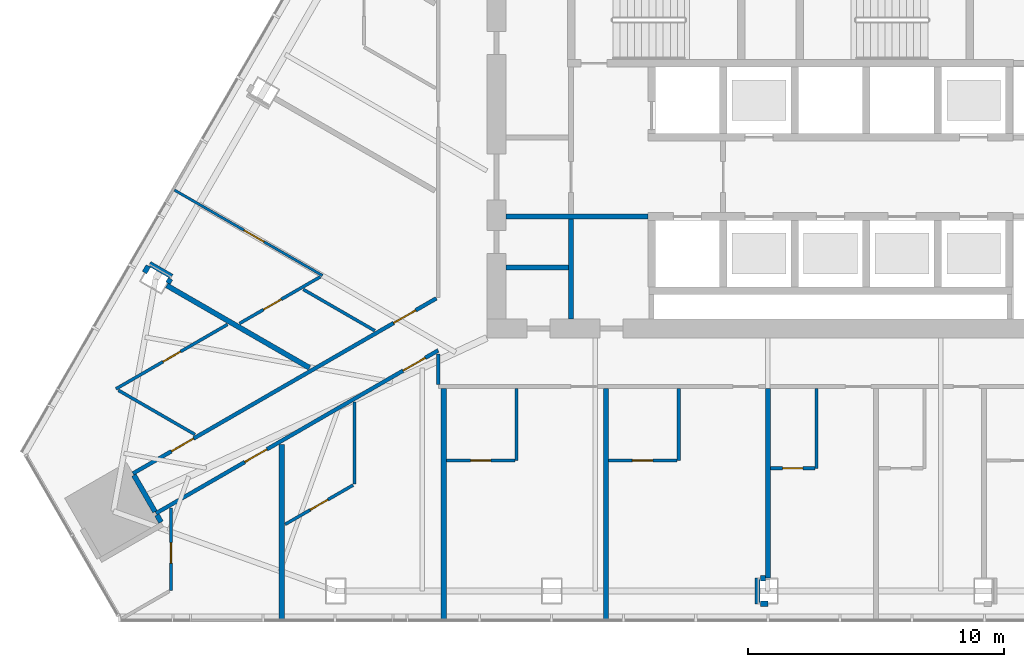
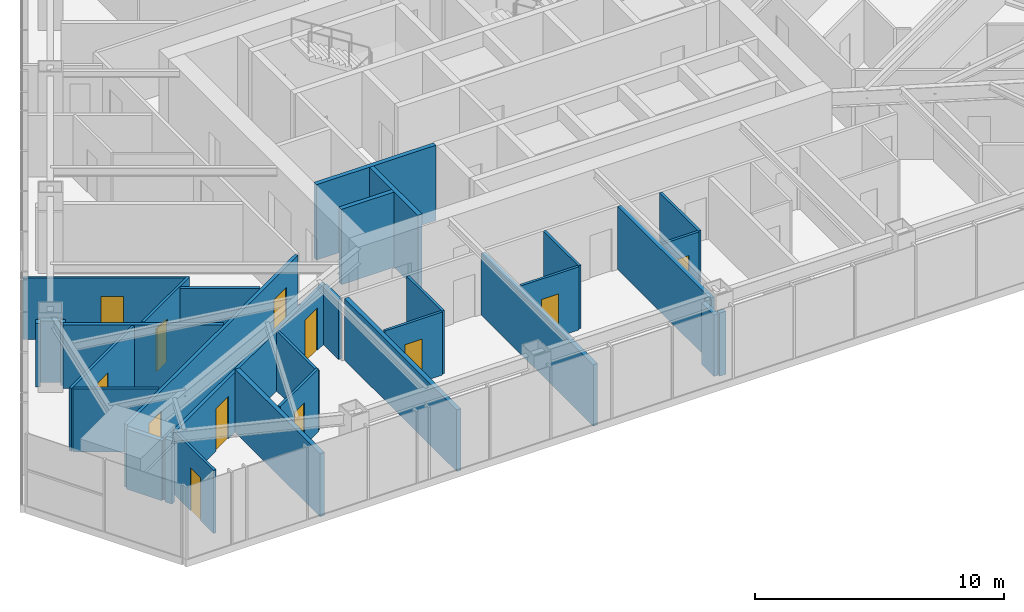
# One storey, part 13 of 20: 33 walls, 12 doors, 12 openings.
"""IFC4 building model written with IfcOpenShell, lengths in metres."""

from ifc_helpers import new_model, si_unit, direction, frame, frame_2d, origin, place, context, subcontext, project, spatial, rectangle, extrude, material, layer, layer_set, type_object, element, fill, save


model = new_model("IFC4")

# Units and contexts
model_context = context("Model", 3, precision=1e-05, world=origin(), true_north=direction((0.0, 1.0)))
body_context = subcontext(model_context, "Body", "Model", "MODEL_VIEW")
ifc_project = project(units=[si_unit("LENGTHUNIT", "METRE"), si_unit("AREAUNIT", "SQUARE_METRE"), si_unit("VOLUMEUNIT", "CUBIC_METRE"), si_unit("PLANEANGLEUNIT", "RADIAN"), si_unit("MASSUNIT", "GRAM", prefix="KILO")], contexts=[model_context])

# Site, building, storey
site_placement = place(None, origin())
site = spatial("IfcSite", under=ifc_project, at=site_placement, CompositionType="ELEMENT")
building_placement = place(site_placement, origin())
building = spatial("IfcBuilding", under=site, at=building_placement, Name="Firuza Gate Tower and Library", CompositionType="ELEMENT")
storey_placement = place(building_placement, frame((0.0, 0.0, 214.300048828125)))
storey = spatial("IfcBuildingStorey", under=building, at=storey_placement, Name="L50", CompositionType="ELEMENT", Elevation=214.300048828125)

# Walls
ifc_material_1 = material(Name="Plasterboard on steel studs", Category="steel")
ifc_layer_1 = layer(ifc_material_1, 0.199951171875)
ifc_layer_set_1 = layer_set([ifc_layer_1], Name="Core partition 200 EI 120")
wall_type_1 = type_object("IfcWallType", Name="Core partition 200 EI 120", PredefinedType="PARTITIONING", material=ifc_layer_set_1)
wall_1_placement = place(storey_placement, frame((64.75, 71.75, 0.0), z_axis=(0.0, 0.0, 1.0), x_axis=(1.0, 0.0, 0.0)))
element("IfcWall", 1, at=wall_1_placement, inside=storey, type_object=wall_type_1, Name="Core partition L50 2", PredefinedType="PARTITIONING", context=body_context, shape_type="SweptSolid", body=[
    extrude(rectangle(XDim=5.550048828125, YDim=0.199951171875, at=frame_2d((2.77490234375, 0.0))), origin(), (0.0, 0.0, 1.0), 3.699951171875),
])
wall_2_placement = place(storey_placement, frame((67.300048828125, 67.75, 0.0), z_axis=(0.0, 0.0, 1.0), x_axis=(0.0, 1.0, 0.0)))
element("IfcWall", 2, at=wall_2_placement, inside=storey, type_object=wall_type_1, Name="Core partition L50 7", PredefinedType="PARTITIONING", context=body_context, shape_type="SweptSolid", body=[
    extrude(rectangle(XDim=3.89990234375, YDim=0.199951171875, at=frame_2d((1.949951171875, 0.0))), origin(), (0.0, 0.0, 1.0), 3.699951171875),
])
ifc_material_2 = material(Name="Plasterboard on steel studs", Category="steel")
ifc_layer_2 = layer(ifc_material_2, 0.199951171875)
ifc_layer_set_2 = layer_set([ifc_layer_2], Name="Core partition 200 EI 60")
wall_type_2 = type_object("IfcWallType", Name="Core partition 200 EI 60", PredefinedType="PARTITIONING", material=ifc_layer_set_2)
wall_3_placement = place(storey_placement, frame((64.75, 69.75, 0.0), z_axis=(0.0, 0.0, 1.0), x_axis=(1.0, 0.0, 0.0)))
element("IfcWall", 3, at=wall_3_placement, inside=storey, type_object=wall_type_2, Name="Core partition L50 1", PredefinedType="PARTITIONING", context=body_context, shape_type="SweptSolid", body=[
    extrude(rectangle(XDim=2.449951171875, YDim=0.199951171875, at=frame_2d((1.22509765625, 0.0))), origin(), (0.0, 0.0, 1.0), 3.699951171875),
])

# Wall, openings, doors
ifc_material_3 = material(Name="Gypsum board partition")
ifc_layer_3 = layer(ifc_material_3, 0.14990234375)
ifc_layer_set_3 = layer_set([ifc_layer_3], Name="Corridor wall 150 double board on steel studs")
wall_type_3 = type_object("IfcWallType", Name="Corridor wall 150 double board on steel studs", PredefinedType="PARTITIONING", material=ifc_layer_set_3)
wall_4_placement = place(storey_placement, frame((62.099853515625, 66.512939453125, 0.0), z_axis=(0.0, 0.0, 1.0), x_axis=(-0.866025886419, -0.499999164051, 0.0)))
wall_4 = element("IfcWall", 4, at=wall_4_placement, inside=storey, type_object=wall_type_3, Name="f:L50:w029", PredefinedType="PARTITIONING", context=body_context, shape_type="SweptSolid", body=[
    extrude(rectangle(XDim=12.75439453125, YDim=0.14990234375, at=frame_2d((6.377197265625, 0.0))), origin(), (0.0, 0.0, 1.0), 2.947021484375),
])
opening_1_placement = place(wall_4_placement, frame((0.587158203125, 0.0, 0.0)))
opening_1 = element("IfcOpeningElement", 5, at=opening_1_placement, cuts=wall_4, Name="Opening L50-21", PredefinedType="OPENING", context=body_context, shape_type="SweptSolid", body=[
    extrude(rectangle(XDim=1.0, YDim=2.10009765625, at=frame_2d((0.5, 1.050048828125))), frame((0.0, 0.0849609375, 0.0), z_axis=(0.0, -1.0, 0.0), x_axis=(1.0, 0.0, 0.0)), (0.0, 0.0, 1.0), 0.169921875),
])
opening_2_placement = place(wall_4_placement, frame((7.742431640625, 0.0, 0.0)))
opening_2 = element("IfcOpeningElement", 6, at=opening_2_placement, cuts=wall_4, Name="Opening L50-22", PredefinedType="OPENING", context=body_context, shape_type="SweptSolid", body=[
    extrude(rectangle(XDim=1.0, YDim=2.10009765625, at=frame_2d((0.5, 1.050048828125))), frame((0.0, 0.0849609375, 0.0), z_axis=(0.0, -1.0, 0.0), x_axis=(1.0, 0.0, 0.0)), (0.0, 0.0, 1.0), 0.169921875),
])
ifc_material_4 = material(Name="Steel door and timber leaf", Category="steel")
door_type_1 = type_object("IfcDoorType", Name="Fire door 1000 x 2100 steel frame, timber leaf", OperationType="NOTDEFINED", PredefinedType="DOOR", material=ifc_material_4)
door_1_placement = place(opening_1_placement, origin())
door_1 = element("IfcDoor", 7, at=door_1_placement, inside=storey, type_object=door_type_1, Name="f:L50:d021", OperationType="SINGLE_SWING_RIGHT", OverallHeight=2.10009765625, OverallWidth=1.0, PredefinedType="DOOR", context=body_context, shape_type="SweptSolid", body=[
    extrude(rectangle(XDim=1.0, YDim=2.10009765625, at=frame_2d((0.5, 1.050048828125))), frame((0.0, 0.02490234375, 0.0), z_axis=(0.0, -1.0, 0.0), x_axis=(1.0, 0.0, 0.0)), (0.0, 0.0, 1.0), 0.050048828125),
])
fill(opening_1, door_1)
door_2_placement = place(opening_2_placement, origin())
door_2 = element("IfcDoor", 8, at=door_2_placement, inside=storey, type_object=door_type_1, Name="f:L50:d022", OperationType="SINGLE_SWING_RIGHT", OverallHeight=2.10009765625, OverallWidth=1.0, PredefinedType="DOOR", context=body_context, shape_type="SweptSolid", body=[
    extrude(rectangle(XDim=1.0, YDim=2.10009765625, at=frame_2d((0.5, 1.050048828125))), frame((0.0, 0.02490234375, 0.0), z_axis=(0.0, -1.0, 0.0), x_axis=(1.0, 0.0, 0.0)), (0.0, 0.0, 1.0), 0.050048828125),
])
fill(opening_2, door_2)

wall_5_placement = place(storey_placement, frame((50.15478515625, 61.69482421875, 0.0), z_axis=(0.0, 0.0, 1.0), x_axis=(0.8660236305, 0.500003071406, 0.0)))
wall_5 = element("IfcWall", 9, at=wall_5_placement, inside=storey, type_object=wall_type_3, Name="f:L50:w032", PredefinedType="PARTITIONING", context=body_context, shape_type="SweptSolid", body=[
    extrude(rectangle(XDim=13.70654296875, YDim=0.14990234375, at=frame_2d((6.853271484375, 0.0))), origin(), (0.0, 0.0, 1.0), 3.099853515625),
])
opening_3_placement = place(wall_5_placement, frame((1.736328125, 0.0, 0.0)))
opening_3 = element("IfcOpeningElement", 10, at=opening_3_placement, cuts=wall_5, Name="Opening L50-23", PredefinedType="OPENING", context=body_context, shape_type="SweptSolid", body=[
    extrude(rectangle(XDim=1.0, YDim=2.10009765625, at=frame_2d((0.5, 1.050048828125))), frame((0.0, 0.0849609375, 0.0), z_axis=(0.0, -1.0, 0.0), x_axis=(1.0, 0.0, 0.0)), (0.0, 0.0, 1.0), 0.169921875),
])
opening_4_placement = place(wall_5_placement, frame((11.777099609375, 0.0, 0.0)))
opening_4 = element("IfcOpeningElement", 11, at=opening_4_placement, cuts=wall_5, Name="Opening L50-24", PredefinedType="OPENING", context=body_context, shape_type="SweptSolid", body=[
    extrude(rectangle(XDim=1.0, YDim=2.10009765625, at=frame_2d((0.5, 1.050048828125))), frame((0.0, 0.0849609375, 0.0), z_axis=(0.0, -1.0, 0.0), x_axis=(1.0, 0.0, 0.0)), (0.0, 0.0, 1.0), 0.169921875),
])
door_3_placement = place(opening_3_placement, origin())
door_3 = element("IfcDoor", 12, at=door_3_placement, inside=storey, type_object=door_type_1, Name="f:L50:d023", OperationType="SINGLE_SWING_LEFT", OverallHeight=2.10009765625, OverallWidth=1.0, PredefinedType="DOOR", context=body_context, shape_type="SweptSolid", body=[
    extrude(rectangle(XDim=1.0, YDim=2.10009765625, at=frame_2d((0.5, 1.050048828125))), frame((0.0, 0.02490234375, 0.0), z_axis=(0.0, -1.0, 0.0), x_axis=(1.0, 0.0, 0.0)), (0.0, 0.0, 1.0), 0.050048828125),
])
fill(opening_3, door_3)
door_4_placement = place(opening_4_placement, origin())
door_4 = element("IfcDoor", 13, at=door_4_placement, inside=storey, type_object=door_type_1, Name="f:L50:d024", OperationType="SINGLE_SWING_RIGHT", OverallHeight=2.10009765625, OverallWidth=1.0, PredefinedType="DOOR", context=body_context, shape_type="SweptSolid", body=[
    extrude(rectangle(XDim=1.0, YDim=2.10009765625, at=frame_2d((0.5, 1.050048828125))), frame((0.0, 0.02490234375, 0.0), z_axis=(0.0, -1.0, 0.0), x_axis=(1.0, 0.0, 0.0)), (0.0, 0.0, 1.0), 0.050048828125),
])
fill(opening_4, door_4)

# Walls
wall_6_placement = place(storey_placement, frame((62.10009765625, 65.175537109375, 0.0), z_axis=(0.0, 0.0, 1.0), x_axis=(0.0, 1.0, 0.0)))
element("IfcWall", 14, at=wall_6_placement, inside=storey, type_object=wall_type_3, Name="f:L50:w081", PredefinedType="PARTITIONING", context=body_context, shape_type="SweptSolid", body=[
    extrude(rectangle(XDim=1.20068359375, YDim=0.14990234375, at=frame_2d((0.600341796875, 0.0))), origin(), (0.0, 0.0, 1.0), 2.947021484375),
])
ifc_material_5 = material(Name="Gypsum board partition")
ifc_layer_4 = layer(ifc_material_5, 0.199951171875)
ifc_layer_set_4 = layer_set([ifc_layer_4], Name="Demising wall 200 acoustic double stud")
wall_type_4 = type_object("IfcWallType", Name="Demising wall 200 acoustic double stud", PredefinedType="PARTITIONING", material=ifc_layer_set_4)
wall_7_placement = place(storey_placement, frame((74.700439453125, 56.596923828125, 0.0), z_axis=(0.0, 0.0, 1.0), x_axis=(1.0, 0.0, 0.0)))
element("IfcWall", 15, at=wall_7_placement, inside=storey, type_object=wall_type_4, Name="f:L50:w000", PredefinedType="PARTITIONING", context=body_context, shape_type="SweptSolid", body=[
    extrude(rectangle(XDim=0.299072265625, YDim=0.199951171875, at=frame_2d((0.1494140625, 0.0))), origin(), (0.0, 0.0, 1.0), 3.099853515625),
])
for number, where, z_axis, x_axis, name in (
    (16, (74.700439453125, 57.596923828125, 0.0), (0.0, 0.0, 1.0), (1.0, 0.0, 0.0), "f:L50:w002"),
    (17, (51.523193359375, 69.142822265625, 0.0), (0.0, 0.0, 1.0), (0.500359323436, 0.865817848887, 0.0), "f:L50:w044"),
):
    element("IfcWall", number, at=place(storey_placement, frame(where, z_axis=z_axis, x_axis=x_axis)), inside=storey, type_object=wall_type_4, Name=name, PredefinedType="PARTITIONING", context=body_context, shape_type="SweptSolid", body=[
        extrude(rectangle(XDim=0.198974609375, YDim=0.199951171875, at=frame_2d((0.099609375, 0.0))), origin(), (0.0, 0.0, 1.0), 3.099853515625),
    ])
wall_8_placement = place(storey_placement, frame((50.607177734375, 69.55615234375, 0.0), z_axis=(0.0, 0.0, 1.0), x_axis=(0.49965177357, 0.866226359082, 0.0)))
element("IfcWall", 18, at=wall_8_placement, inside=storey, type_object=wall_type_4, Name="f:L50:w045", PredefinedType="PARTITIONING", context=body_context, shape_type="SweptSolid", body=[
    extrude(rectangle(XDim=0.299072265625, YDim=0.199951171875, at=frame_2d((0.1494140625, 0.0))), origin(), (0.0, 0.0, 1.0), 3.099853515625),
])
wall_9_placement = place(storey_placement, frame((75.0, 57.597900390625, 0.0), z_axis=(0.0, 0.0, 1.0), x_axis=(0.0, 1.0, 0.0)))
element("IfcWall", 19, at=wall_9_placement, inside=storey, type_object=wall_type_4, Name="f:L50:w068", PredefinedType="PARTITIONING", context=body_context, shape_type="SweptSolid", body=[
    extrude(rectangle(XDim=7.427001953125, YDim=0.199951171875, at=frame_2d((3.71337890625, 0.0))), origin(), (0.0, 0.0, 1.0), 3.099853515625),
])
wall_10_placement = place(storey_placement, frame((74.60009765625, 56.597900390625, 0.0), z_axis=(0.0, 0.0, 1.0), x_axis=(0.0, 1.0, 0.0)))
element("IfcWall", 20, at=wall_10_placement, inside=storey, type_object=wall_type_4, Name="f:L50:w069", PredefinedType="PARTITIONING", context=body_context, shape_type="SweptSolid", body=[
    extrude(rectangle(XDim=0.9990234375, YDim=0.199951171875, at=frame_2d((0.49951171875, 0.0))), origin(), (0.0, 0.0, 1.0), 3.02197265625),
])
for number, where, z_axis, x_axis, name in (
    (21, (68.657958984375, 55.99755859375, 0.0), (0.0, 0.0, 1.0), (0.0, 1.0, 0.0), "f:L50:w076"),
    (22, (62.31689453125, 55.99755859375, 0.0), (0.0, 0.0, 1.0), (0.0, 1.0, 0.0), "f:L50:w080"),
):
    element("IfcWall", number, at=place(storey_placement, frame(where, z_axis=z_axis, x_axis=x_axis)), inside=storey, type_object=wall_type_4, Name=name, PredefinedType="PARTITIONING", context=body_context, shape_type="SweptSolid", body=[
        extrude(rectangle(XDim=9.02734375, YDim=0.199951171875, at=frame_2d((4.513671875, 0.0))), origin(), (0.0, 0.0, 1.0), 3.02197265625),
    ])
wall_11_placement = place(storey_placement, frame((55.97509765625, 55.99755859375, 0.0), z_axis=(0.0, 0.0, 1.0), x_axis=(0.0, 1.0, 0.0)))
element("IfcWall", 23, at=wall_11_placement, inside=storey, type_object=wall_type_4, Name="f:L50:w085", PredefinedType="PARTITIONING", context=body_context, shape_type="SweptSolid", body=[
    extrude(rectangle(XDim=6.832275390625, YDim=0.199951171875, at=frame_2d((3.416015625, 0.0))), origin(), (0.0, 0.0, 1.0), 3.099853515625),
])
wall_12_placement = place(storey_placement, frame((51.25390625, 59.78955078125, 0.0), z_axis=(0.0, 0.0, 1.0), x_axis=(-0.499939380126, 0.866060399857, 0.0)))
element("IfcWall", 24, at=wall_12_placement, inside=storey, type_object=wall_type_4, Name="f:L50:w092", PredefinedType="PARTITIONING", context=body_context, shape_type="SweptSolid", body=[
    extrude(rectangle(XDim=0.32470703125, YDim=0.199951171875, at=frame_2d((0.162353515625, 0.0))), origin(), (0.0, 0.0, 1.0), 3.099853515625),
])
wall_13_placement = place(storey_placement, frame((51.673095703125, 69.402587890625, 0.0), z_axis=(0.0, 0.0, 1.0), x_axis=(-0.866039090965, 0.499976292358, 0.0)))
element("IfcWall", 25, at=wall_13_placement, inside=storey, type_object=wall_type_4, Name="f:L50:w116", PredefinedType="PARTITIONING", context=body_context, shape_type="SweptSolid", body=[
    extrude(rectangle(XDim=0.9990234375, YDim=0.199951171875, at=frame_2d((0.49951171875, 0.0))), origin(), (0.0, 0.0, 1.0), 3.02197265625),
])
wall_14_placement = place(storey_placement, frame((57.06201171875, 65.82958984375, 0.0), z_axis=(0.0, 0.0, 1.0), x_axis=(-0.866041300655, 0.499972464802, 0.0)))
element("IfcWall", 26, at=wall_14_placement, inside=storey, type_object=wall_type_4, Name="f:L50:w117", PredefinedType="PARTITIONING", context=body_context, shape_type="SweptSolid", body=[
    extrude(rectangle(XDim=6.452392578125, YDim=0.199951171875, at=frame_2d((3.22607421875, 0.0))), origin(), (0.0, 0.0, 1.0), 3.099853515625),
])
wall_15_placement = place(storey_placement, frame((51.0166015625, 60.20068359375, 0.0), z_axis=(0.0, 0.0, 1.0), x_axis=(-0.499991515992, 0.866030301974, 0.0)))
element("IfcWall", 27, at=wall_15_placement, inside=storey, type_object=wall_type_4, Name="f:L50:w121", PredefinedType="PARTITIONING", context=body_context, shape_type="SweptSolid", body=[
    extrude(rectangle(XDim=1.6494140625, YDim=0.199951171875, at=frame_2d((0.82470703125, 0.0))), origin(), (0.0, 0.0, 1.0), 2.947021484375),
])

# Wall, opening, door
ifc_material_6 = material(Name="Gypsum board partition")
ifc_layer_5 = layer(ifc_material_6, 0.10009765625)
ifc_layer_set_5 = layer_set([ifc_layer_5], Name="Partition 100 gypsum board on steel studs")
wall_type_5 = type_object("IfcWallType", Name="Partition 100 gypsum board on steel studs", PredefinedType="PARTITIONING", material=ifc_layer_set_5)
wall_16_placement = place(storey_placement, frame((57.571044921875, 69.440673828125, 0.0), z_axis=(0.0, 0.0, 1.0), x_axis=(-0.866019636692, 0.500009988763, 0.0)))
wall_16 = element("IfcWall", 28, at=wall_16_placement, inside=storey, type_object=wall_type_5, Name="f:L50:w114", PredefinedType="PARTITIONING", context=body_context, shape_type="SweptSolid", body=[
    extrude(rectangle(XDim=6.688232421875, YDim=0.10009765625, at=frame_2d((3.34423828125, 0.0))), origin(), (0.0, 0.0, 1.0), 3.02197265625),
])
opening_5_placement = place(wall_16_placement, frame((2.64404296875, 0.0, 0.0)))
opening_5 = element("IfcOpeningElement", 29, at=opening_5_placement, cuts=wall_16, Name="Opening L50-48", PredefinedType="OPENING", context=body_context, shape_type="SweptSolid", body=[
    extrude(rectangle(XDim=0.89990234375, YDim=2.10009765625, at=frame_2d((0.449951171875, 1.050048828125))), frame((0.0, 0.06005859375, 0.0), z_axis=(0.0, -1.0, 0.0), x_axis=(1.0, 0.0, 0.0)), (0.0, 0.0, 1.0), 0.1201171875),
])
ifc_material_7 = material(Name="Timber door", Category="wood")
door_type_2 = type_object("IfcDoorType", Name="Door 900 x 2100 timber leaf", OperationType="NOTDEFINED", PredefinedType="DOOR", material=ifc_material_7)
door_5_placement = place(opening_5_placement, origin())
door_5 = element("IfcDoor", 30, at=door_5_placement, inside=storey, type_object=door_type_2, Name="f:L50:d048", OperationType="SINGLE_SWING_LEFT", OverallHeight=2.10009765625, OverallWidth=0.89990234375, PredefinedType="DOOR", context=body_context, shape_type="SweptSolid", body=[
    extrude(rectangle(XDim=0.89990234375, YDim=2.10009765625, at=frame_2d((0.449951171875, 1.050048828125))), frame((0.0, 0.02490234375, 0.0), z_axis=(0.0, -1.0, 0.0), x_axis=(1.0, 0.0, 0.0)), (0.0, 0.0, 1.0), 0.050048828125),
])
fill(opening_5, door_5)

ifc_material_8 = material(Name="Gypsum board partition")
ifc_layer_6 = layer(ifc_material_8, 0.1201171875)
ifc_layer_set_6 = layer_set([ifc_layer_6], Name="Wet-area partition 120 moisture-resistant board")
wall_type_6 = type_object("IfcWallType", Name="Wet-area partition 120 moisture-resistant board", PredefinedType="PARTITIONING", material=ifc_layer_set_6)
wall_17_placement = place(storey_placement, frame((75.10009765625, 61.89990234375, 0.0), z_axis=(0.0, 0.0, 1.0), x_axis=(1.0, 0.0, 0.0)))
wall_17 = element("IfcWall", 31, at=wall_17_placement, inside=storey, type_object=wall_type_6, Name="f:L50:w003", PredefinedType="PARTITIONING", context=body_context, shape_type="SweptSolid", body=[
    extrude(rectangle(XDim=1.742431640625, YDim=0.1201171875, at=frame_2d((0.87109375, 0.0))), origin(), (0.0, 0.0, 1.0), 3.099853515625),
])
opening_6_placement = place(wall_17_placement, frame((0.47119140625, 0.0, 0.0)))
opening_6 = element("IfcOpeningElement", 32, at=opening_6_placement, cuts=wall_17, Name="Opening L50-01", PredefinedType="OPENING", context=body_context, shape_type="SweptSolid", body=[
    extrude(rectangle(XDim=0.800048828125, YDim=2.10009765625, at=frame_2d((0.39990234375, 1.050048828125))), frame((0.0, 0.070068359375, 0.0), z_axis=(0.0, -1.0, 0.0), x_axis=(1.0, 0.0, 0.0)), (0.0, 0.0, 1.0), 0.14013671875),
])
ifc_material_9 = material(Name="Timber door", Category="wood")
door_type_3 = type_object("IfcDoorType", Name="Door 800 x 2100 timber leaf", OperationType="NOTDEFINED", PredefinedType="DOOR", material=ifc_material_9)
door_6_placement = place(opening_6_placement, origin())
door_6 = element("IfcDoor", 33, at=door_6_placement, inside=storey, type_object=door_type_3, Name="f:L50:d001", OperationType="SINGLE_SWING_RIGHT", OverallHeight=2.10009765625, OverallWidth=0.800048828125, PredefinedType="DOOR", context=body_context, shape_type="SweptSolid", body=[
    extrude(rectangle(XDim=0.800048828125, YDim=2.10009765625, at=frame_2d((0.39990234375, 1.050048828125))), frame((0.0, 0.02490234375, 0.0), z_axis=(0.0, -1.0, 0.0), x_axis=(1.0, 0.0, 0.0)), (0.0, 0.0, 1.0), 0.050048828125),
])
fill(opening_6, door_6)

wall_18_placement = place(storey_placement, frame((62.426513671875, 62.199951171875, 0.0), z_axis=(0.0, 0.0, 1.0), x_axis=(1.0, 0.0, 0.0)))
wall_18 = element("IfcWall", 34, at=wall_18_placement, inside=storey, type_object=wall_type_6, Name="f:L50:w005", PredefinedType="PARTITIONING", context=body_context, shape_type="SweptSolid", body=[
    extrude(rectangle(XDim=2.673828125, YDim=0.1201171875, at=frame_2d((1.3369140625, 0.0))), origin(), (0.0, 0.0, 1.0), 3.099853515625),
])
opening_7_placement = place(wall_18_placement, frame((0.93701171875, 0.0, 0.0)))
opening_7 = element("IfcOpeningElement", 35, at=opening_7_placement, cuts=wall_18, Name="Opening L50-03", PredefinedType="OPENING", context=body_context, shape_type="SweptSolid", body=[
    extrude(rectangle(XDim=0.800048828125, YDim=2.10009765625, at=frame_2d((0.39990234375, 1.050048828125))), frame((0.0, 0.070068359375, 0.0), z_axis=(0.0, -1.0, 0.0), x_axis=(1.0, 0.0, 0.0)), (0.0, 0.0, 1.0), 0.14013671875),
])
door_7_placement = place(opening_7_placement, origin())
door_7 = element("IfcDoor", 36, at=door_7_placement, inside=storey, type_object=door_type_3, Name="f:L50:d003", OperationType="SINGLE_SWING_RIGHT", OverallHeight=2.10009765625, OverallWidth=0.800048828125, PredefinedType="DOOR", context=body_context, shape_type="SweptSolid", body=[
    extrude(rectangle(XDim=0.800048828125, YDim=2.10009765625, at=frame_2d((0.39990234375, 1.050048828125))), frame((0.0, 0.02490234375, 0.0), z_axis=(0.0, -1.0, 0.0), x_axis=(1.0, 0.0, 0.0)), (0.0, 0.0, 1.0), 0.050048828125),
])
fill(opening_7, door_7)

wall_19_placement = place(storey_placement, frame((68.75830078125, 62.199951171875, 0.0), z_axis=(0.0, 0.0, 1.0), x_axis=(1.0, 0.0, 0.0)))
wall_19 = element("IfcWall", 37, at=wall_19_placement, inside=storey, type_object=wall_type_6, Name="f:L50:w006", PredefinedType="PARTITIONING", context=body_context, shape_type="SweptSolid", body=[
    extrude(rectangle(XDim=2.683837890625, YDim=0.1201171875, at=frame_2d((1.341796875, 0.0))), origin(), (0.0, 0.0, 1.0), 3.099853515625),
])
opening_8_placement = place(wall_19_placement, frame((0.94189453125, 0.0, 0.0)))
opening_8 = element("IfcOpeningElement", 38, at=opening_8_placement, cuts=wall_19, Name="Opening L50-04", PredefinedType="OPENING", context=body_context, shape_type="SweptSolid", body=[
    extrude(rectangle(XDim=0.800048828125, YDim=2.10009765625, at=frame_2d((0.39990234375, 1.050048828125))), frame((0.0, 0.070068359375, 0.0), z_axis=(0.0, -1.0, 0.0), x_axis=(1.0, 0.0, 0.0)), (0.0, 0.0, 1.0), 0.14013671875),
])
door_8_placement = place(opening_8_placement, origin())
door_8 = element("IfcDoor", 39, at=door_8_placement, inside=storey, type_object=door_type_3, Name="f:L50:d004", OperationType="SINGLE_SWING_RIGHT", OverallHeight=2.10009765625, OverallWidth=0.800048828125, PredefinedType="DOOR", context=body_context, shape_type="SweptSolid", body=[
    extrude(rectangle(XDim=0.800048828125, YDim=2.10009765625, at=frame_2d((0.39990234375, 1.050048828125))), frame((0.0, 0.02490234375, 0.0), z_axis=(0.0, -1.0, 0.0), x_axis=(1.0, 0.0, 0.0)), (0.0, 0.0, 1.0), 0.050048828125),
])
fill(opening_8, door_8)

wall_20_placement = place(storey_placement, frame((56.109375, 59.705810546875, 0.0), z_axis=(0.0, 0.0, 1.0), x_axis=(0.866042588199, 0.499970234539, 0.0)))
wall_20 = element("IfcWall", 40, at=wall_20_placement, inside=storey, type_object=wall_type_6, Name="f:L50:w026", PredefinedType="PARTITIONING", context=body_context, shape_type="SweptSolid", body=[
    extrude(rectangle(XDim=3.070556640625, YDim=0.1201171875, at=frame_2d((1.53515625, 0.0))), origin(), (0.0, 0.0, 1.0), 3.099853515625),
])
opening_9_placement = place(wall_20_placement, frame((1.13525390625, 0.0, 0.0)))
opening_9 = element("IfcOpeningElement", 41, at=opening_9_placement, cuts=wall_20, Name="Opening L50-19", PredefinedType="OPENING", context=body_context, shape_type="SweptSolid", body=[
    extrude(rectangle(XDim=0.800048828125, YDim=2.10009765625, at=frame_2d((0.39990234375, 1.050048828125))), frame((0.0, 0.070068359375, 0.0), z_axis=(0.0, -1.0, 0.0), x_axis=(1.0, 0.0, 0.0)), (0.0, 0.0, 1.0), 0.14013671875),
])
door_9_placement = place(opening_9_placement, origin())
door_9 = element("IfcDoor", 42, at=door_9_placement, inside=storey, type_object=door_type_3, Name="f:L50:d019", OperationType="SINGLE_SWING_RIGHT", OverallHeight=2.10009765625, OverallWidth=0.800048828125, PredefinedType="DOOR", context=body_context, shape_type="SweptSolid", body=[
    extrude(rectangle(XDim=0.800048828125, YDim=2.10009765625, at=frame_2d((0.39990234375, 1.050048828125))), frame((0.0, 0.02490234375, 0.0), z_axis=(0.0, -1.0, 0.0), x_axis=(1.0, 0.0, 0.0)), (0.0, 0.0, 1.0), 0.050048828125),
])
fill(opening_9, door_9)

wall_21_placement = place(storey_placement, frame((57.486328125, 69.391845703125, 0.0), z_axis=(0.0, 0.0, 1.0), x_axis=(-0.866029747927, -0.499992475648, 0.0)))
wall_21 = element("IfcWall", 43, at=wall_21_placement, inside=storey, type_object=wall_type_6, Name="f:L50:w033", PredefinedType="PARTITIONING", context=body_context, shape_type="SweptSolid", body=[
    extrude(rectangle(XDim=3.65234375, YDim=0.1201171875, at=frame_2d((1.826171875, 0.0))), origin(), (0.0, 0.0, 1.0), 3.099853515625),
])
opening_10_placement = place(wall_21_placement, frame((1.765380859375, 0.0, 0.0)))
opening_10 = element("IfcOpeningElement", 44, at=opening_10_placement, cuts=wall_21, Name="Opening L50-25", PredefinedType="OPENING", context=body_context, shape_type="SweptSolid", body=[
    extrude(rectangle(XDim=0.800048828125, YDim=2.10009765625, at=frame_2d((0.39990234375, 1.050048828125))), frame((0.0, 0.070068359375, 0.0), z_axis=(0.0, -1.0, 0.0), x_axis=(1.0, 0.0, 0.0)), (0.0, 0.0, 1.0), 0.14013671875),
])
door_10_placement = place(opening_10_placement, origin())
door_10 = element("IfcDoor", 45, at=door_10_placement, inside=storey, type_object=door_type_3, Name="f:L50:d025", OperationType="SINGLE_SWING_LEFT", OverallHeight=2.10009765625, OverallWidth=0.800048828125, PredefinedType="DOOR", context=body_context, shape_type="SweptSolid", body=[
    extrude(rectangle(XDim=0.800048828125, YDim=2.10009765625, at=frame_2d((0.39990234375, 1.050048828125))), frame((0.0, 0.02490234375, 0.0), z_axis=(0.0, -1.0, 0.0), x_axis=(1.0, 0.0, 0.0)), (0.0, 0.0, 1.0), 0.050048828125),
])
fill(opening_10, door_10)

wall_22_placement = place(storey_placement, frame((53.85400390625, 67.525634765625, 0.0), z_axis=(0.0, 0.0, 1.0), x_axis=(-0.866025012717, -0.500000677347, 0.0)))
wall_22 = element("IfcWall", 46, at=wall_22_placement, inside=storey, type_object=wall_type_6, Name="f:L50:w034", PredefinedType="PARTITIONING", context=body_context, shape_type="SweptSolid", body=[
    extrude(rectangle(XDim=5.03857421875, YDim=0.1201171875, at=frame_2d((2.519287109375, 0.0))), origin(), (0.0, 0.0, 1.0), 3.099853515625),
])
opening_11_placement = place(wall_22_placement, frame((2.119384765625, 0.0, 0.0)))
opening_11 = element("IfcOpeningElement", 47, at=opening_11_placement, cuts=wall_22, Name="Opening L50-26", PredefinedType="OPENING", context=body_context, shape_type="SweptSolid", body=[
    extrude(rectangle(XDim=0.800048828125, YDim=2.10009765625, at=frame_2d((0.39990234375, 1.050048828125))), frame((0.0, 0.070068359375, 0.0), z_axis=(0.0, -1.0, 0.0), x_axis=(1.0, 0.0, 0.0)), (0.0, 0.0, 1.0), 0.14013671875),
])
door_11_placement = place(opening_11_placement, origin())
door_11 = element("IfcDoor", 48, at=door_11_placement, inside=storey, type_object=door_type_3, Name="f:L50:d026", OperationType="SINGLE_SWING_LEFT", OverallHeight=2.10009765625, OverallWidth=0.800048828125, PredefinedType="DOOR", context=body_context, shape_type="SweptSolid", body=[
    extrude(rectangle(XDim=0.800048828125, YDim=2.10009765625, at=frame_2d((0.39990234375, 1.050048828125))), frame((0.0, 0.02490234375, 0.0), z_axis=(0.0, -1.0, 0.0), x_axis=(1.0, 0.0, 0.0)), (0.0, 0.0, 1.0), 0.050048828125),
])
fill(opening_11, door_11)

# Walls
wall_23_placement = place(storey_placement, frame((76.903076171875, 61.89990234375, 0.0), z_axis=(0.0, 0.0, 1.0), x_axis=(0.0, 1.0, 0.0)))
element("IfcWall", 49, at=wall_23_placement, inside=storey, type_object=wall_type_6, Name="f:L50:w066", PredefinedType="PARTITIONING", context=body_context, shape_type="SweptSolid", body=[
    extrude(rectangle(XDim=3.125, YDim=0.1201171875, at=frame_2d((1.5625, 0.0))), origin(), (0.0, 0.0, 1.0), 3.099853515625),
])
for number, where, z_axis, x_axis, name in (
    (50, (71.511962890625, 62.199951171875, 0.0), (0.0, 0.0, 1.0), (0.0, 1.0, 0.0), "f:L50:w073"),
    (51, (65.169921875, 62.199951171875, 0.0), (0.0, 0.0, 1.0), (0.0, 1.0, 0.0), "f:L50:w079"),
):
    element("IfcWall", number, at=place(storey_placement, frame(where, z_axis=z_axis, x_axis=x_axis)), inside=storey, type_object=wall_type_6, Name=name, PredefinedType="PARTITIONING", context=body_context, shape_type="SweptSolid", body=[
        extrude(rectangle(XDim=2.824951171875, YDim=0.1201171875, at=frame_2d((1.41259765625, 0.0))), origin(), (0.0, 0.0, 1.0), 3.099853515625),
    ])
wall_24_placement = place(storey_placement, frame((58.8291015625, 61.275634765625, 0.0), z_axis=(0.0, 0.0, 1.0), x_axis=(0.0, 1.0, 0.0)))
element("IfcWall", 52, at=wall_24_placement, inside=storey, type_object=wall_type_6, Name="f:L50:w084", PredefinedType="PARTITIONING", context=body_context, shape_type="SweptSolid", body=[
    extrude(rectangle(XDim=3.221923828125, YDim=0.1201171875, at=frame_2d((1.61083984375, 0.0))), origin(), (0.0, 0.0, 1.0), 2.947021484375),
])

# Wall, opening, door
wall_25_placement = place(storey_placement, frame((51.639892578125, 57.125, 0.0), z_axis=(0.0, 0.0, 1.0), x_axis=(0.0, 1.0, 0.0)))
wall_25 = element("IfcWall", 53, at=wall_25_placement, inside=storey, type_object=wall_type_6, Name="f:L50:w086", PredefinedType="PARTITIONING", context=body_context, shape_type="SweptSolid", body=[
    extrude(rectangle(XDim=3.22216796875, YDim=0.1201171875, at=frame_2d((1.611083984375, 0.0))), origin(), (0.0, 0.0, 1.0), 3.099853515625),
])
opening_12_placement = place(wall_25_placement, frame((1.06103515625, 0.0, 0.0)))
opening_12 = element("IfcOpeningElement", 54, at=opening_12_placement, cuts=wall_25, Name="Opening L50-40", PredefinedType="OPENING", context=body_context, shape_type="SweptSolid", body=[
    extrude(rectangle(XDim=0.800048828125, YDim=2.10009765625, at=frame_2d((0.39990234375, 1.050048828125))), frame((0.0, 0.070068359375, 0.0), z_axis=(0.0, -1.0, 0.0), x_axis=(1.0, 0.0, 0.0)), (0.0, 0.0, 1.0), 0.14013671875),
])
door_12_placement = place(opening_12_placement, origin())
door_12 = element("IfcDoor", 55, at=door_12_placement, inside=storey, type_object=door_type_3, Name="f:L50:d040", OperationType="SINGLE_SWING_RIGHT", OverallHeight=2.10009765625, OverallWidth=0.800048828125, PredefinedType="DOOR", context=body_context, shape_type="SweptSolid", body=[
    extrude(rectangle(XDim=0.800048828125, YDim=2.10009765625, at=frame_2d((0.39990234375, 1.050048828125))), frame((0.0, 0.02490234375, 0.0), z_axis=(0.0, -1.0, 0.0), x_axis=(1.0, 0.0, 0.0)), (0.0, 0.0, 1.0), 0.050048828125),
])
fill(opening_12, door_12)

# Walls
wall_26_placement = place(storey_placement, frame((59.615478515625, 67.283447265625, 0.0), z_axis=(0.0, 0.0, 1.0), x_axis=(-0.866000447062, 0.500043223821, 0.0)))
element("IfcWall", 56, at=wall_26_placement, inside=storey, type_object=wall_type_6, Name="f:L50:w115", PredefinedType="PARTITIONING", context=body_context, shape_type="SweptSolid", body=[
    extrude(rectangle(XDim=3.228271484375, YDim=0.1201171875, at=frame_2d((1.6142578125, 0.0))), origin(), (0.0, 0.0, 1.0), 3.099853515625),
])
wall_27_placement = place(storey_placement, frame((52.58056640625, 63.2216796875, 0.0), z_axis=(0.0, 0.0, 1.0), x_axis=(-0.865997524453, 0.50004828531, 0.0)))
element("IfcWall", 57, at=wall_27_placement, inside=storey, type_object=wall_type_6, Name="f:L50:w118", PredefinedType="PARTITIONING", context=body_context, shape_type="SweptSolid", body=[
    extrude(rectangle(XDim=3.459228515625, YDim=0.1201171875, at=frame_2d((1.7294921875, 0.0))), origin(), (0.0, 0.0, 1.0), 3.099853515625),
])

save(model, "model.ifc")
